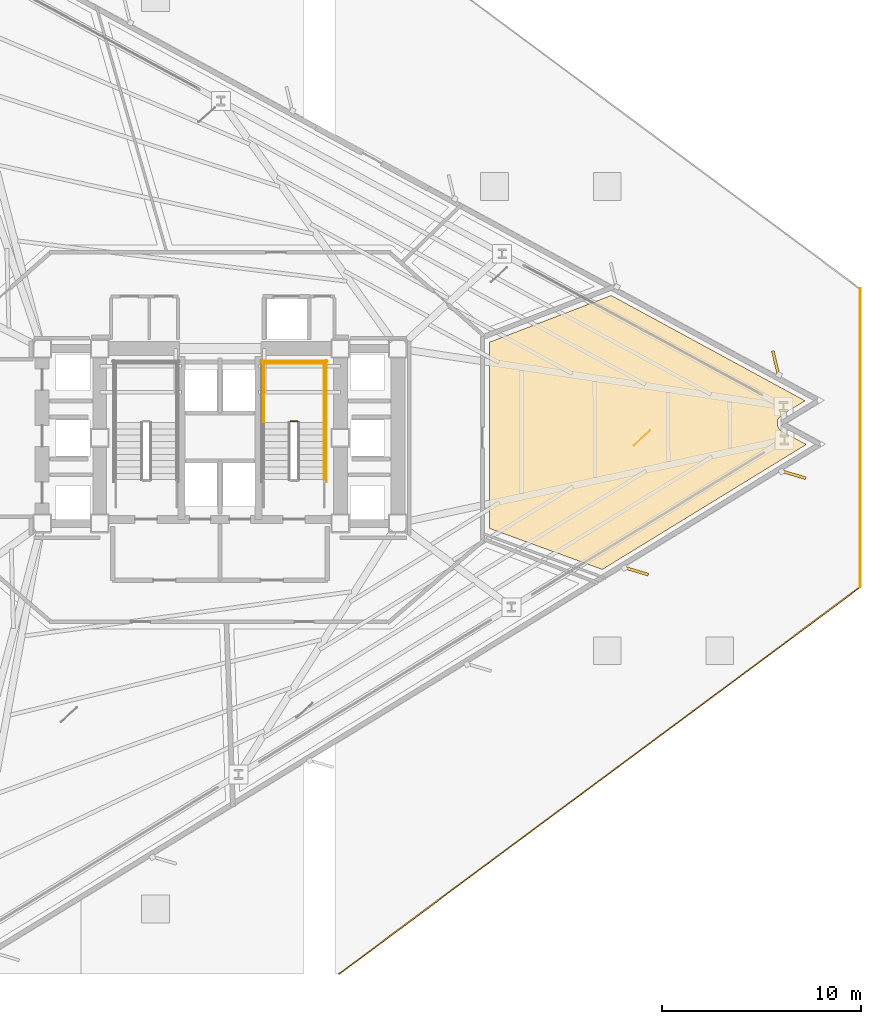
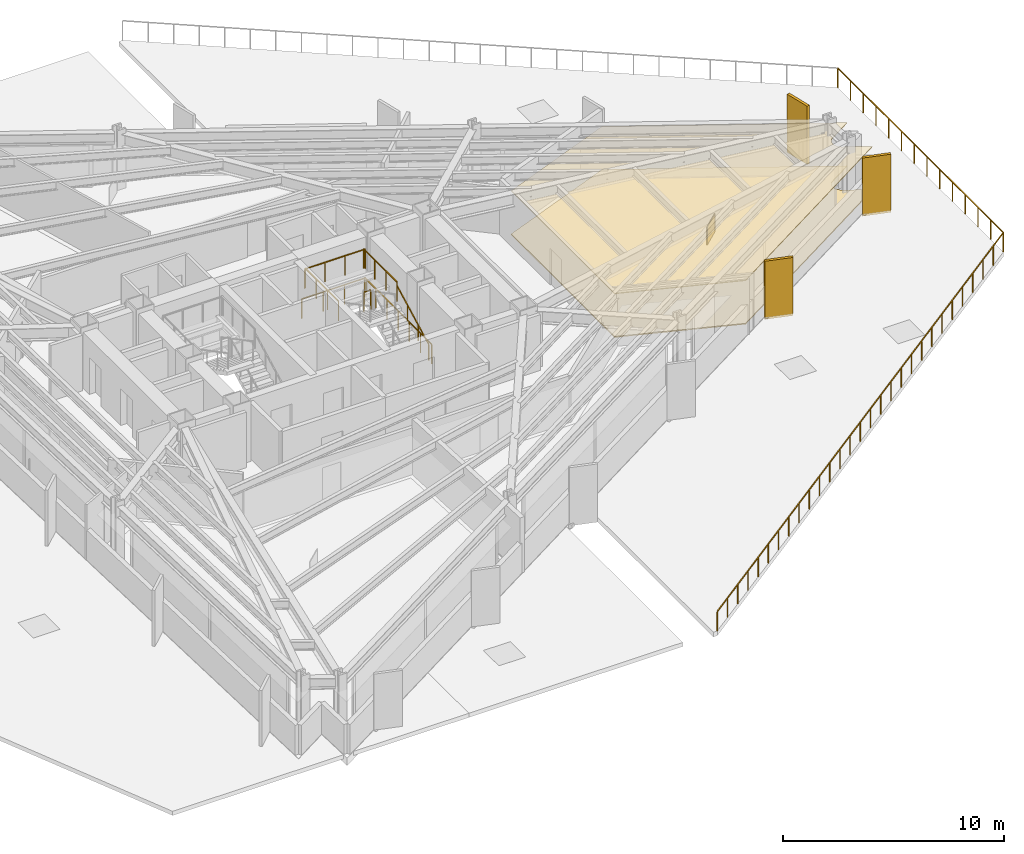
# One storey, part 12 of 13: 9 railings, 3 coverings, 3 shading devices.
"""IFC4 building model written with IfcOpenShell, lengths in metres."""

from ifc_helpers import new_model, si_unit, direction, frame, origin, origin_2d, place, context, subcontext, project, spatial, polyline, rectangle, outline, extrude, material, layer, layer_set, type_object, element, save


model = new_model("IFC4")

# Units and contexts
model_context = context("Model", 3, precision=1e-05, world=origin(), true_north=direction((0.0, 1.0)))
body_context = subcontext(model_context, "Body", "Model", "MODEL_VIEW")
ifc_project = project(units=[si_unit("LENGTHUNIT", "METRE"), si_unit("AREAUNIT", "SQUARE_METRE"), si_unit("VOLUMEUNIT", "CUBIC_METRE"), si_unit("PLANEANGLEUNIT", "RADIAN"), si_unit("MASSUNIT", "GRAM", prefix="KILO")], contexts=[model_context])

# Site, building, storey
site_placement = place(None, origin())
site = spatial("IfcSite", under=ifc_project, at=site_placement, CompositionType="ELEMENT")
building_placement = place(site_placement, origin())
building = spatial("IfcBuilding", under=site, at=building_placement, Name="Rocaltana Carrier Exchange", CompositionType="ELEMENT")
storey_placement = place(building_placement, frame((0.0, 0.0, 18.8798828125)))
storey = spatial("IfcBuildingStorey", under=building, at=storey_placement, Name="L06", CompositionType="ELEMENT", Elevation=18.8798828125)

# Coverings
ifc_material_1 = material(Name="Calcium Sulphate & Aluminium Pedestal", Category="aluminium")
ifc_layer_1 = layer(ifc_material_1, 0.06005859375)
ifc_layer_set_1 = layer_set([ifc_layer_1], Name="Calcium Sulphate & Aluminium Pedestal")
covering_type_1 = type_object("IfcCoveringType", Name="Anti-Static Raised Exchange Access Floor 60", PredefinedType="FLOORING", material=ifc_layer_set_1)
covering_1_placement = place(storey_placement, origin())
element("IfcCovering", 1, at=covering_1_placement, inside=storey, type_object=covering_type_1, Name="L06 Optical Switching Laboratory Finish Floor", PredefinedType="FLOORING", context=body_context, shape_type="SweptSolid", body=[
    extrude(outline(polyline([(29.427490234375, 1.87109375), (28.260498046875, 1.156005859375), (28.248779296875, 1.148193359375), (28.232421875, 1.136962890625), (28.210205078125, 1.1201171875), (28.19482421875, 1.107421875), (28.17431640625, 1.08837890625), (28.160400390625, 1.073974609375), (28.14208984375, 1.052978515625), (28.129638671875, 1.03759765625), (28.11328125, 1.014892578125), (28.1025390625, 0.998046875), (28.088623046875, 0.973876953125), (28.07958984375, 0.9560546875), (28.068115234375, 0.9306640625), (28.060791015625, 0.912109375), (28.052001953125, 0.885498046875), (28.046630859375, 0.866455078125), (28.04052734375, 0.839111328125), (28.037109375, 0.819580078125), (28.03369140625, 0.791748046875), (28.031982421875, 0.77197265625), (28.031494140625, 0.743896484375), (28.031982421875, 0.72412109375), (28.0341796875, 0.6962890625), (28.03662109375, 0.676513671875), (28.04150390625, 0.64892578125), (28.0458984375, 0.629638671875), (28.053466796875, 0.602783203125), (28.059814453125, 0.583740234375), (28.070068359375, 0.557861328125), (28.078369140625, 0.539794921875), (28.091064453125, 0.514892578125), (28.10107421875, 0.49755859375), (28.1162109375, 0.47412109375), (28.1279296875, 0.4580078125), (28.1455078125, 0.436279296875), (28.15869140625, 0.421142578125), (28.177978515625, 0.4013671875), (28.192626953125, 0.3876953125), (28.214111328125, 0.369873046875), (28.22998046875, 0.35791015625), (28.253173828125, 0.342041015625), (28.270263671875, 0.331787109375), (28.2822265625, 0.32470703125), (29.485107421875, -0.328369140625), (19.2265625, -6.61474609375), (13.56005859375, -4.55224609375), (13.56005859375, 4.819580078125), (19.674072265625, 7.16650390625), (29.427490234375, 1.87109375)])), origin(), (0.0, 0.0, 1.0), 0.06005859375),
])
ifc_material_2 = material(Name="Mineral Fibre & Powder-Coated Aluminium", Category="aluminium")
ifc_layer_2 = layer(ifc_material_2, 0.044921875)
ifc_layer_set_2 = layer_set([ifc_layer_2], Name="Mineral Fibre & Powder-Coated Aluminium")
covering_type_2 = type_object("IfcCoveringType", Name="Micro-Perforated Acoustic Ceiling 45", PredefinedType="CEILING", material=ifc_layer_set_2)
covering_2_placement = place(storey_placement, frame((0.0, 0.0, 2.403076171875)))
element("IfcCovering", 2, at=covering_2_placement, inside=storey, type_object=covering_type_2, Name="L06 Optical Switching Laboratory Acoustic Ceiling", PredefinedType="CEILING", context=body_context, shape_type="SweptSolid", body=[
    extrude(outline(polyline([(29.427490234375, 1.87109375), (28.260498046875, 1.156005859375), (28.248779296875, 1.148193359375), (28.232421875, 1.136962890625), (28.210205078125, 1.1201171875), (28.19482421875, 1.107421875), (28.17431640625, 1.08837890625), (28.160400390625, 1.073974609375), (28.14208984375, 1.052978515625), (28.129638671875, 1.03759765625), (28.11328125, 1.014892578125), (28.1025390625, 0.998046875), (28.088623046875, 0.973876953125), (28.07958984375, 0.9560546875), (28.068115234375, 0.9306640625), (28.060791015625, 0.912109375), (28.052001953125, 0.885498046875), (28.046630859375, 0.866455078125), (28.04052734375, 0.839111328125), (28.037109375, 0.819580078125), (28.03369140625, 0.791748046875), (28.031982421875, 0.77197265625), (28.031494140625, 0.743896484375), (28.031982421875, 0.72412109375), (28.0341796875, 0.6962890625), (28.03662109375, 0.676513671875), (28.04150390625, 0.64892578125), (28.0458984375, 0.629638671875), (28.053466796875, 0.602783203125), (28.059814453125, 0.583740234375), (28.070068359375, 0.557861328125), (28.078369140625, 0.539794921875), (28.091064453125, 0.514892578125), (28.10107421875, 0.49755859375), (28.1162109375, 0.47412109375), (28.1279296875, 0.4580078125), (28.1455078125, 0.436279296875), (28.15869140625, 0.421142578125), (28.177978515625, 0.4013671875), (28.192626953125, 0.3876953125), (28.214111328125, 0.369873046875), (28.22998046875, 0.35791015625), (28.253173828125, 0.342041015625), (28.270263671875, 0.331787109375), (28.2822265625, 0.32470703125), (29.485107421875, -0.328369140625), (19.2265625, -6.61474609375), (13.56005859375, -4.55224609375), (13.56005859375, 4.819580078125), (19.674072265625, 7.16650390625), (29.427490234375, 1.87109375)])), origin(), (0.0, 0.0, 1.0), 0.044921875),
])

# Railings
ifc_material_3 = material(Name="Brushed Architectural Stainless Tube", Category="steel")
ifc_layer_3 = layer(ifc_material_3, 0.048095703125)
ifc_layer_set_3 = layer_set([ifc_layer_3], Name="Brushed Architectural Stainless Tube")
railing_type_1 = type_object("IfcRailingType", Name="Stair Wall Handrail 920", PredefinedType="HANDRAIL", material=ifc_layer_set_3)
railing_1_placement = place(storey_placement, frame((5.25, -2.10009765625, 0.168212890625)))
element("IfcRailing", 3, at=railing_1_placement, inside=storey, type_object=railing_type_1, Name="L06 ST-2 stair handrail 1", PredefinedType="HANDRAIL", context=body_context, shape_type="SweptSolid", body=[
    extrude(rectangle(XDim=0.048095703125, YDim=0.048095703125, at=origin_2d()), frame((0.0, 0.0, 0.8759765625), z_axis=(0.0, 0.885411030485, 0.464808893091), x_axis=(-1.0, 0.0, 0.0)), (0.0, 0.0, 1.0), 3.2529296875),
    extrude(rectangle(XDim=0.0419921875, YDim=0.0419921875, at=origin_2d()), origin(), (0.0, 0.0, 1.0), 0.851806640625),
    extrude(rectangle(XDim=0.0419921875, YDim=0.0419921875, at=origin_2d()), frame((0.0, 0.9599609375, 0.50390625)), (0.0, 0.0, 1.0), 0.851806640625),
    extrude(rectangle(XDim=0.0419921875, YDim=0.0419921875, at=origin_2d()), frame((0.0, 1.920166015625, 1.008056640625)), (0.0, 0.0, 1.0), 0.851806640625),
    extrude(rectangle(XDim=0.0419921875, YDim=0.0419921875, at=origin_2d()), frame((0.0, 2.880126953125, 1.511962890625)), (0.0, 0.0, 1.0), 0.851806640625),
])
ifc_material_4 = material(Name="Powder-Coated Aluminium 6063-T6", Category="aluminium")
ifc_layer_4 = layer(ifc_material_4, 0.048095703125)
ifc_layer_set_4 = layer_set([ifc_layer_4], Name="Powder-Coated Aluminium 6063-T6")
railing_type_2 = type_object("IfcRailingType", Name="Stair Well Guardrail 1100", PredefinedType="GUARDRAIL", material=ifc_layer_set_4)
railing_2_placement = place(storey_placement, frame((3.89990234375, 0.830078125, 1.68017578125)))
element("IfcRailing", 4, at=railing_2_placement, inside=storey, type_object=railing_type_2, Name="L06 ST-2 stair guard 2", PredefinedType="GUARDRAIL", context=body_context, shape_type="SweptSolid", body=[
    extrude(rectangle(XDim=0.048095703125, YDim=0.048095703125, at=origin_2d()), frame((0.0, 0.0, 1.076171875), z_axis=(-1.0, 0.0, 0.0), x_axis=(0.0, -1.0, 0.0)), (0.0, 0.0, 1.0), 0.35986328125),
    extrude(rectangle(XDim=0.0419921875, YDim=0.0419921875, at=origin_2d()), origin(), (0.0, 0.0, 1.0), 1.052001953125),
    extrude(rectangle(XDim=0.0419921875, YDim=0.0419921875, at=origin_2d()), frame((-0.35986328125, 0.0, 0.0)), (0.0, 0.0, 1.0), 1.052001953125),
])
for number, where, name in (
    (5, (5.25, 0.780029296875, 1.68017578125), "L06 ST-2 stair guard 3"),
    (6, (2.18994140625, 0.780029296875, 1.68017578125), "L06 ST-2 stair guard 4"),
):
    element("IfcRailing", number, at=place(storey_placement, frame(where)), inside=storey, type_object=railing_type_2, Name=name, PredefinedType="GUARDRAIL", context=body_context, shape_type="SweptSolid", body=[
        extrude(rectangle(XDim=0.048095703125, YDim=0.048095703125, at=origin_2d()), frame((0.0, 0.0, 1.076171875), z_axis=(0.0, 1.0, 0.0), x_axis=(-1.0, 0.0, 0.0)), (0.0, 0.0, 1.0), 3.02001953125),
        extrude(rectangle(XDim=0.0419921875, YDim=0.0419921875, at=origin_2d()), origin(), (0.0, 0.0, 1.0), 1.052001953125),
        extrude(rectangle(XDim=0.0419921875, YDim=0.0419921875, at=origin_2d()), frame((0.0, 1.006591796875, 0.0)), (0.0, 0.0, 1.0), 1.052001953125),
        extrude(rectangle(XDim=0.0419921875, YDim=0.0419921875, at=origin_2d()), frame((0.0, 2.013427734375, 0.0)), (0.0, 0.0, 1.0), 1.052001953125),
        extrude(rectangle(XDim=0.0419921875, YDim=0.0419921875, at=origin_2d()), frame((0.0, 3.02001953125, 0.0)), (0.0, 0.0, 1.0), 1.052001953125),
    ])
railing_3_placement = place(storey_placement, frame((5.300048828125, 3.75, 1.68017578125)))
element("IfcRailing", 7, at=railing_3_placement, inside=storey, type_object=railing_type_2, Name="L06 ST-2 stair guard 5", PredefinedType="GUARDRAIL", context=body_context, shape_type="SweptSolid", body=[
    extrude(rectangle(XDim=0.048095703125, YDim=0.048095703125, at=origin_2d()), frame((0.0, 0.0, 1.076171875), z_axis=(-1.0, 0.0, 0.0), x_axis=(0.0, -1.0, 0.0)), (0.0, 0.0, 1.0), 3.16015625),
    extrude(rectangle(XDim=0.0419921875, YDim=0.0419921875, at=origin_2d()), origin(), (0.0, 0.0, 1.0), 1.052001953125),
    extrude(rectangle(XDim=0.0419921875, YDim=0.0419921875, at=origin_2d()), frame((-1.053466796875, 0.0, 0.0)), (0.0, 0.0, 1.0), 1.052001953125),
    extrude(rectangle(XDim=0.0419921875, YDim=0.0419921875, at=origin_2d()), frame((-2.106689453125, 0.0, 0.0)), (0.0, 0.0, 1.0), 1.052001953125),
    extrude(rectangle(XDim=0.0419921875, YDim=0.0419921875, at=origin_2d()), frame((-3.16015625, 0.0, 0.0)), (0.0, 0.0, 1.0), 1.052001953125),
])
railing_4_placement = place(storey_placement, frame((5.35009765625, -2.199951171875, 0.0)))
element("IfcRailing", 8, at=railing_4_placement, inside=storey, type_object=railing_type_2, Name="L06 ST-2 stair guard 10", PredefinedType="GUARDRAIL", context=body_context, shape_type="SweptSolid", body=[
    extrude(rectangle(XDim=0.048095703125, YDim=0.048095703125, at=origin_2d()), frame((0.0, 0.0, 1.076171875), z_axis=(0.0, 1.0, 0.0), x_axis=(-1.0, 0.0, 0.0)), (0.0, 0.0, 1.0), 6.099853515625),
    extrude(rectangle(XDim=0.0419921875, YDim=0.0419921875, at=origin_2d()), origin(), (0.0, 0.0, 1.0), 1.052001953125),
    extrude(rectangle(XDim=0.0419921875, YDim=0.0419921875, at=origin_2d()), frame((0.0, 1.0166015625, 0.0)), (0.0, 0.0, 1.0), 1.052001953125),
    extrude(rectangle(XDim=0.0419921875, YDim=0.0419921875, at=origin_2d()), frame((0.0, 2.033203125, 0.0)), (0.0, 0.0, 1.0), 1.052001953125),
    extrude(rectangle(XDim=0.0419921875, YDim=0.0419921875, at=origin_2d()), frame((0.0, 3.0498046875, 0.0)), (0.0, 0.0, 1.0), 1.052001953125),
    extrude(rectangle(XDim=0.0419921875, YDim=0.0419921875, at=origin_2d()), frame((0.0, 4.066650390625, 0.0)), (0.0, 0.0, 1.0), 1.052001953125),
    extrude(rectangle(XDim=0.0419921875, YDim=0.0419921875, at=origin_2d()), frame((0.0, 5.083251953125, 0.0)), (0.0, 0.0, 1.0), 1.052001953125),
    extrude(rectangle(XDim=0.0419921875, YDim=0.0419921875, at=origin_2d()), frame((0.0, 6.099853515625, 0.0)), (0.0, 0.0, 1.0), 1.052001953125),
])
railing_5_placement = place(storey_placement, frame((5.39990234375, 3.85009765625, 0.0)))
element("IfcRailing", 9, at=railing_5_placement, inside=storey, type_object=railing_type_2, Name="L06 ST-2 stair guard 12", PredefinedType="GUARDRAIL", context=body_context, shape_type="SweptSolid", body=[
    extrude(rectangle(XDim=0.048095703125, YDim=0.048095703125, at=origin_2d()), frame((0.0, 0.0, 1.076171875), z_axis=(-1.0, 0.0, 0.0), x_axis=(0.0, -1.0, 0.0)), (0.0, 0.0, 1.0), 3.35986328125),
    extrude(rectangle(XDim=0.0419921875, YDim=0.0419921875, at=origin_2d()), origin(), (0.0, 0.0, 1.0), 1.052001953125),
    extrude(rectangle(XDim=0.0419921875, YDim=0.0419921875, at=origin_2d()), frame((-1.119873046875, 0.0, 0.0)), (0.0, 0.0, 1.0), 1.052001953125),
    extrude(rectangle(XDim=0.0419921875, YDim=0.0419921875, at=origin_2d()), frame((-2.239990234375, 0.0, 0.0)), (0.0, 0.0, 1.0), 1.052001953125),
    extrude(rectangle(XDim=0.0419921875, YDim=0.0419921875, at=origin_2d()), frame((-3.35986328125, 0.0, 0.0)), (0.0, 0.0, 1.0), 1.052001953125),
])

# Covering
ifc_material_5 = material(Name="Honed Piedra Muneca Sandstone", Category="masonry")
ifc_layer_5 = layer(ifc_material_5, 0.034912109375)
ifc_layer_set_5 = layer_set([ifc_layer_5], Name="Honed Piedra Muneca Sandstone")
covering_type_3 = type_object("IfcCoveringType", Name="Stone Facade Cladding 35", PredefinedType="CLADDING", material=ifc_layer_set_5)
covering_3_placement = place(storey_placement, frame((21.2216796875, -0.001708984375, 0.0), z_axis=(0.0, 0.0, 1.0), x_axis=(0.743144825477, 0.669130606359, 0.0)))
element("IfcCovering", 10, at=covering_3_placement, inside=storey, type_object=covering_type_3, Name="L06 Stone Facade Cladding Panel 4", PredefinedType="CLADDING", context=body_context, shape_type="SweptSolid", body=[
    extrude(rectangle(XDim=1.10009765625, YDim=0.034912109375, at=origin_2d()), origin(), (0.0, 0.0, 1.0), 1.050048828125),
])

# Shading devices
ifc_material_6 = material(Name="Honed Bogota Sandstone & Concrete C45/55", Category="masonry")
ifc_layer_6 = layer(ifc_material_6, 0.139892578125)
ifc_layer_set_6 = layer_set([ifc_layer_6], Name="Honed Bogota Sandstone & Concrete C45/55")
shading_device_type = type_object("IfcShadingDeviceType", Name="Vertical Sandstone Shading Fin 1320x140", PredefinedType="USERDEFINED", material=ifc_layer_set_6)
for number, where, z_axis, x_axis, name in (
    (11, (27.95751953125, 3.739501953125, -0.1201171875), (0.0, 0.0, 1.0), (-0.233445363856, 0.972369920398, 0.0), "L06 Sandstone Vertical Fin F1-01"),
    (12, (20.909912109375, -6.6865234375, -0.1201171875), (0.0, 0.0, 1.0), (0.958819734868, -0.284015344704, 0.0), "L06 Sandstone Vertical Fin F3-05"),
    (13, (28.822265625, -1.837646484375, -0.1201171875), (0.0, 0.0, 1.0), (0.958819734868, -0.284015344704, 0.0), "L06 Sandstone Vertical Fin F3-06"),
):
    element("IfcShadingDevice", number, at=place(storey_placement, frame(where, z_axis=z_axis, x_axis=x_axis)), inside=storey, type_object=shading_device_type, Name=name, ObjectType="FIN", PredefinedType="USERDEFINED", context=body_context, shape_type="SweptSolid", body=[
        extrude(rectangle(XDim=1.320068359375, YDim=0.139892578125, at=origin_2d()), origin(), (0.0, 0.0, 1.0), 3.218017578125),
    ])

# Railings
ifc_material_7 = material(Name="Powder-Coated Aluminium 6063-T6", Category="aluminium")
ifc_layer_7 = layer(ifc_material_7, 0.06005859375)
ifc_layer_set_7 = layer_set([ifc_layer_7], Name="Powder-Coated Aluminium 6063-T6")
railing_type_3 = type_object("IfcRailingType", Name="Wind-Floor & Terrace Perimeter Guardrail 1100", PredefinedType="GUARDRAIL", material=ifc_layer_set_7)
railing_6_placement = place(storey_placement, frame((32.199951171875, 7.5, 0.0)))
element("IfcRailing", 14, at=railing_6_placement, inside=storey, type_object=railing_type_3, Name="L06 Podium Roof Terrace Guardrail 2", PredefinedType="GUARDRAIL", context=body_context, shape_type="SweptSolid", body=[
    extrude(rectangle(XDim=0.048095703125, YDim=0.048095703125, at=origin_2d()), frame((0.0, 0.0, 1.076171875), z_axis=(0.0, -1.0, 0.0), x_axis=(1.0, 0.0, 0.0)), (0.0, 0.0, 1.0), 15.0),
    extrude(rectangle(XDim=0.0419921875, YDim=0.0419921875, at=origin_2d()), origin(), (0.0, 0.0, 1.0), 1.052001953125),
    extrude(rectangle(XDim=0.0419921875, YDim=0.0419921875, at=origin_2d()), frame((0.0, -1.15380859375, 0.0)), (0.0, 0.0, 1.0), 1.052001953125),
    extrude(rectangle(XDim=0.0419921875, YDim=0.0419921875, at=origin_2d()), frame((0.0, -2.3076171875, 0.0)), (0.0, 0.0, 1.0), 1.052001953125),
    extrude(rectangle(XDim=0.0419921875, YDim=0.0419921875, at=origin_2d()), frame((0.0, -3.46142578125, 0.0)), (0.0, 0.0, 1.0), 1.052001953125),
    extrude(rectangle(XDim=0.0419921875, YDim=0.0419921875, at=origin_2d()), frame((0.0, -4.615478515625, 0.0)), (0.0, 0.0, 1.0), 1.052001953125),
    extrude(rectangle(XDim=0.0419921875, YDim=0.0419921875, at=origin_2d()), frame((0.0, -5.769287109375, 0.0)), (0.0, 0.0, 1.0), 1.052001953125),
    extrude(rectangle(XDim=0.0419921875, YDim=0.0419921875, at=origin_2d()), frame((0.0, -6.923095703125, 0.0)), (0.0, 0.0, 1.0), 1.052001953125),
    extrude(rectangle(XDim=0.0419921875, YDim=0.0419921875, at=origin_2d()), frame((0.0, -8.076904296875, 0.0)), (0.0, 0.0, 1.0), 1.052001953125),
    extrude(rectangle(XDim=0.0419921875, YDim=0.0419921875, at=origin_2d()), frame((0.0, -9.230712890625, 0.0)), (0.0, 0.0, 1.0), 1.052001953125),
    extrude(rectangle(XDim=0.0419921875, YDim=0.0419921875, at=origin_2d()), frame((0.0, -10.384521484375, 0.0)), (0.0, 0.0, 1.0), 1.052001953125),
    extrude(rectangle(XDim=0.0419921875, YDim=0.0419921875, at=origin_2d()), frame((0.0, -11.53857421875, 0.0)), (0.0, 0.0, 1.0), 1.052001953125),
    extrude(rectangle(XDim=0.0419921875, YDim=0.0419921875, at=origin_2d()), frame((0.0, -12.6923828125, 0.0)), (0.0, 0.0, 1.0), 1.052001953125),
    extrude(rectangle(XDim=0.0419921875, YDim=0.0419921875, at=origin_2d()), frame((0.0, -13.84619140625, 0.0)), (0.0, 0.0, 1.0), 1.052001953125),
    extrude(rectangle(XDim=0.0419921875, YDim=0.0419921875, at=origin_2d()), frame((0.0, -15.0, 0.0)), (0.0, 0.0, 1.0), 1.052001953125),
])
railing_7_placement = place(storey_placement, frame((32.199951171875, -7.5, 0.0)))
element("IfcRailing", 15, at=railing_7_placement, inside=storey, type_object=railing_type_3, Name="L06 Podium Roof Terrace Guardrail 3", PredefinedType="GUARDRAIL", context=body_context, shape_type="SweptSolid", body=[
    extrude(rectangle(XDim=0.048095703125, YDim=0.048095703125, at=origin_2d()), frame((0.0, 0.0, 1.076171875), z_axis=(-0.80293260958, -0.5960698151, 0.0), x_axis=(0.5960698151, -0.80293260958, 0.0)), (0.0, 0.0, 1.0), 32.63037109375),
    extrude(rectangle(XDim=0.0419921875, YDim=0.0419921875, at=origin_2d()), origin(), (0.0, 0.0, 1.0), 1.052001953125),
    extrude(rectangle(XDim=0.0419921875, YDim=0.0419921875, at=origin_2d()), frame((-0.935791015625, -0.694580078125, 0.0)), (0.0, 0.0, 1.0), 1.052001953125),
    extrude(rectangle(XDim=0.0419921875, YDim=0.0419921875, at=origin_2d()), frame((-1.871337890625, -1.38916015625, 0.0)), (0.0, 0.0, 1.0), 1.052001953125),
    extrude(rectangle(XDim=0.0419921875, YDim=0.0419921875, at=origin_2d()), frame((-2.80712890625, -2.083984375, 0.0)), (0.0, 0.0, 1.0), 1.052001953125),
    extrude(rectangle(XDim=0.0419921875, YDim=0.0419921875, at=origin_2d()), frame((-3.742919921875, -2.778564453125, 0.0)), (0.0, 0.0, 1.0), 1.052001953125),
    extrude(rectangle(XDim=0.0419921875, YDim=0.0419921875, at=origin_2d()), frame((-4.678466796875, -3.47314453125, 0.0)), (0.0, 0.0, 1.0), 1.052001953125),
    extrude(rectangle(XDim=0.0419921875, YDim=0.0419921875, at=origin_2d()), frame((-5.6142578125, -4.16796875, 0.0)), (0.0, 0.0, 1.0), 1.052001953125),
    extrude(rectangle(XDim=0.0419921875, YDim=0.0419921875, at=origin_2d()), frame((-6.550048828125, -4.862548828125, 0.0)), (0.0, 0.0, 1.0), 1.052001953125),
    extrude(rectangle(XDim=0.0419921875, YDim=0.0419921875, at=origin_2d()), frame((-7.485595703125, -5.55712890625, 0.0)), (0.0, 0.0, 1.0), 1.052001953125),
    extrude(rectangle(XDim=0.0419921875, YDim=0.0419921875, at=origin_2d()), frame((-8.42138671875, -6.251708984375, 0.0)), (0.0, 0.0, 1.0), 1.052001953125),
    extrude(rectangle(XDim=0.0419921875, YDim=0.0419921875, at=origin_2d()), frame((-9.357177734375, -6.9462890625, 0.0)), (0.0, 0.0, 1.0), 1.052001953125),
    extrude(rectangle(XDim=0.0419921875, YDim=0.0419921875, at=origin_2d()), frame((-10.292724609375, -7.64111328125, 0.0)), (0.0, 0.0, 1.0), 1.052001953125),
    extrude(rectangle(XDim=0.0419921875, YDim=0.0419921875, at=origin_2d()), frame((-11.228515625, -8.335693359375, 0.0)), (0.0, 0.0, 1.0), 1.052001953125),
    extrude(rectangle(XDim=0.0419921875, YDim=0.0419921875, at=origin_2d()), frame((-12.164306640625, -9.0302734375, 0.0)), (0.0, 0.0, 1.0), 1.052001953125),
    extrude(rectangle(XDim=0.0419921875, YDim=0.0419921875, at=origin_2d()), frame((-13.10009765625, -9.72509765625, 0.0)), (0.0, 0.0, 1.0), 1.052001953125),
    extrude(rectangle(XDim=0.0419921875, YDim=0.0419921875, at=origin_2d()), frame((-14.03564453125, -10.419677734375, 0.0)), (0.0, 0.0, 1.0), 1.052001953125),
    extrude(rectangle(XDim=0.0419921875, YDim=0.0419921875, at=origin_2d()), frame((-14.971435546875, -11.1142578125, 0.0)), (0.0, 0.0, 1.0), 1.052001953125),
    extrude(rectangle(XDim=0.0419921875, YDim=0.0419921875, at=origin_2d()), frame((-15.9072265625, -11.808837890625, 0.0)), (0.0, 0.0, 1.0), 1.052001953125),
    extrude(rectangle(XDim=0.0419921875, YDim=0.0419921875, at=origin_2d()), frame((-16.8427734375, -12.503662109375, 0.0)), (0.0, 0.0, 1.0), 1.052001953125),
    extrude(rectangle(XDim=0.0419921875, YDim=0.0419921875, at=origin_2d()), frame((-17.778564453125, -13.1982421875, 0.0)), (0.0, 0.0, 1.0), 1.052001953125),
    extrude(rectangle(XDim=0.0419921875, YDim=0.0419921875, at=origin_2d()), frame((-18.71435546875, -13.892822265625, 0.0)), (0.0, 0.0, 1.0), 1.052001953125),
    extrude(rectangle(XDim=0.0419921875, YDim=0.0419921875, at=origin_2d()), frame((-19.64990234375, -14.58740234375, 0.0)), (0.0, 0.0, 1.0), 1.052001953125),
    extrude(rectangle(XDim=0.0419921875, YDim=0.0419921875, at=origin_2d()), frame((-20.585693359375, -15.2822265625, 0.0)), (0.0, 0.0, 1.0), 1.052001953125),
    extrude(rectangle(XDim=0.0419921875, YDim=0.0419921875, at=origin_2d()), frame((-21.521484375, -15.976806640625, 0.0)), (0.0, 0.0, 1.0), 1.052001953125),
    extrude(rectangle(XDim=0.0419921875, YDim=0.0419921875, at=origin_2d()), frame((-22.45703125, -16.67138671875, 0.0)), (0.0, 0.0, 1.0), 1.052001953125),
    extrude(rectangle(XDim=0.0419921875, YDim=0.0419921875, at=origin_2d()), frame((-23.392822265625, -17.365966796875, 0.0)), (0.0, 0.0, 1.0), 1.052001953125),
    extrude(rectangle(XDim=0.0419921875, YDim=0.0419921875, at=origin_2d()), frame((-24.32861328125, -18.060546875, 0.0)), (0.0, 0.0, 1.0), 1.052001953125),
    extrude(rectangle(XDim=0.0419921875, YDim=0.0419921875, at=origin_2d()), frame((-25.26416015625, -18.75537109375, 0.0)), (0.0, 0.0, 1.0), 1.052001953125),
    extrude(rectangle(XDim=0.0419921875, YDim=0.0419921875, at=origin_2d()), frame((-26.199951171875, -19.449951171875, 0.0)), (0.0, 0.0, 1.0), 1.052001953125),
])

save(model, "model.ifc")
